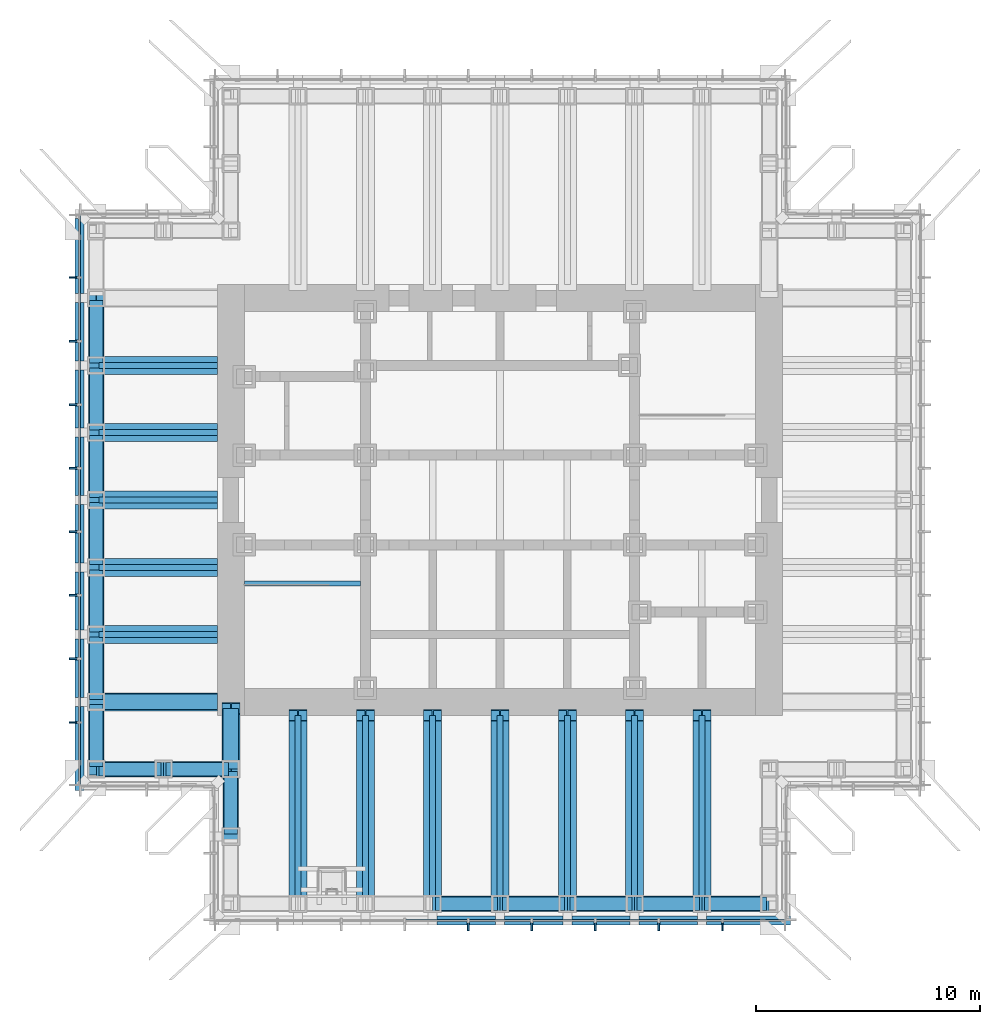
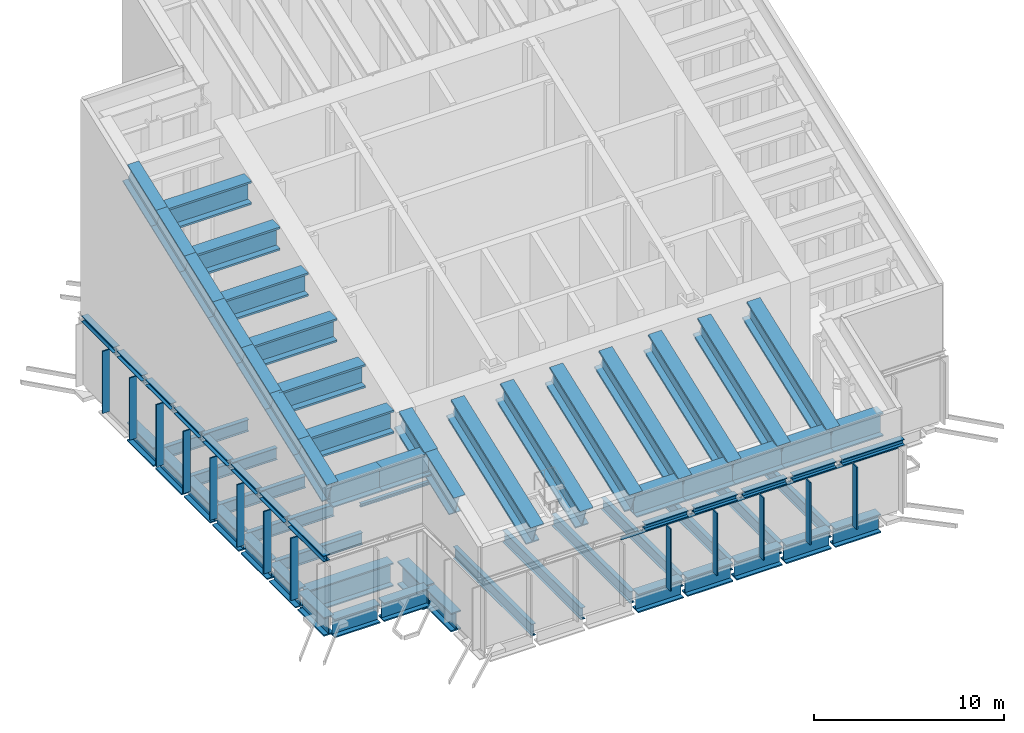
# One storey, part 4 of 15: 72 beams, 28 members, 2 elements without a shape of their own.
"""IFC4 building model written with IfcOpenShell, lengths in metres."""

import ifcopenshell
import ifcopenshell.guid

model = None  # the IFC model being written
_history = None  # IfcOwnerHistory: only IFC2X3 demands one
_inside = {}  # id of a spatial element -> (the spatial element, [elements in it])
_under = {}  # id of a project, library or spatial element -> (it, [spatial elements below it])
_declared = {}  # id of a project -> (the project, [libraries it declares])
_typed = {}  # id of a type object -> (the type object, [elements of that type])
_made_of = {}  # id of a material, layer set ... -> (it, [elements and type objects made of it])


def new_model(schema):
    """Start an empty IFC model of exactly this schema.

    Asked for "IFC4X3", IfcOpenShell would pick the latest addendum, in which some entities
    have other attributes; the version numbers below select the first issue.
    IFC2X3 requires an IfcOwnerHistory on every rooted entity: one is made here for all.
    """
    global model, _history
    if schema == "IFC4X3":
        model = ifcopenshell.file(schema_version=(4, 3, 0, 0))
    else:
        model = ifcopenshell.file(schema=schema)
    _inside.clear()
    _under.clear()
    _declared.clear()
    _typed.clear()
    _made_of.clear()
    _history = None
    if model.schema == "IFC2X3":
        org = make("IfcOrganization", Name="unknown")
        user = make(
            "IfcPersonAndOrganization",
            ThePerson=make("IfcPerson", FamilyName="unknown"),
            TheOrganization=org,
        )
        app = make(
            "IfcApplication",
            ApplicationDeveloper=org,
            Version="unknown",
            ApplicationFullName="unknown",
            ApplicationIdentifier="unknown",
        )
        _history = make(
            "IfcOwnerHistory",
            OwningUser=user,
            OwningApplication=app,
            ChangeAction="ADDED",
            CreationDate=0,
        )
    return model


def make(cls, **values):
    """One entity of the class cls with the attributes given. An attribute that is None is left unset."""
    return model.create_entity(
        cls, **{name: value for name, value in values.items() if value is not None}
    )


def rooted(cls, **values):
    """An entity with a GlobalId (a new one), such as an element, a storey or a relation."""
    return make(cls, GlobalId=ifcopenshell.guid.new(), OwnerHistory=_history, **values)


def si_unit(unit_type, name, prefix=None):
    """IfcSIUnit, for example si_unit("LENGTHUNIT", "METRE", prefix="MILLI")."""
    return make("IfcSIUnit", UnitType=unit_type, Prefix=prefix, Name=name)


def assignment(units):
    """IfcUnitAssignment: the units of a project."""
    return None if units is None else make("IfcUnitAssignment", Units=units)


def point(xyz):
    """IfcCartesianPoint."""
    return None if xyz is None else make("IfcCartesianPoint", Coordinates=xyz)


def direction(xyz):
    """IfcDirection."""
    return None if xyz is None else make("IfcDirection", DirectionRatios=xyz)


def frame(location, z_axis=None, x_axis=None):
    """IfcAxis2Placement3D, a coordinate frame: its origin and axes. An axis left out is left unset."""
    return make(
        "IfcAxis2Placement3D",
        Location=point(location),
        Axis=direction(z_axis),
        RefDirection=direction(x_axis),
    )


def frame_2d(location, x_axis=None):
    """IfcAxis2Placement2D, a coordinate frame in the plane: its origin and x axis."""
    return make(
        "IfcAxis2Placement2D", Location=point(location), RefDirection=direction(x_axis)
    )


def origin():
    """The frame at (0, 0, 0) with its axes left unset."""
    return frame((0.0, 0.0, 0.0))


def origin_2d():
    """The frame at (0, 0) in the plane with its x axis left unset."""
    return frame_2d((0.0, 0.0))


def place(relative_to, where):
    """IfcLocalPlacement: puts the frame where relative to a parent placement (None: the world)."""
    return make(
        "IfcLocalPlacement", PlacementRelTo=relative_to, RelativePlacement=where
    )


def context(
    kind, dimensions, precision=None, world=None, true_north=None, identifier=None
):
    """IfcGeometricRepresentationContext, for example the 3D "Model" context."""
    return make(
        "IfcGeometricRepresentationContext",
        ContextIdentifier=identifier,
        ContextType=kind,
        CoordinateSpaceDimension=dimensions,
        Precision=precision,
        WorldCoordinateSystem=world,
        TrueNorth=true_north,
    )


def subcontext(parent, identifier, kind, view, scale=None):
    """IfcGeometricRepresentationSubContext, for example "Body" below "Model"."""
    return make(
        "IfcGeometricRepresentationSubContext",
        ContextIdentifier=identifier,
        ContextType=kind,
        ParentContext=parent,
        TargetScale=scale,
        TargetView=view,
    )


def project(units=None, contexts=None):
    """IfcProject with its units and contexts."""
    return rooted(
        "IfcProject",
        Name="project",
        RepresentationContexts=contexts,
        UnitsInContext=assignment(units),
    )


def spatial(cls, under=None, at=None, **own):
    """A site, building, storey or space (cls), placed at a placement, below another one or the project."""
    s = rooted(cls, ObjectPlacement=at, **own)
    if under is not None:
        _under.setdefault(under.id(), (under, []))[1].append(s)
    return s


def profile(cls, at=None, kind="AREA", **sizes):
    """A parametric profile (cls). Its sizes go by their IFC names, for example OverallWidth=200.0."""
    return make(cls, ProfileType=kind, Position=at, **sizes)


def rectangle(**sizes):
    """IfcRectangleProfileDef."""
    return profile("IfcRectangleProfileDef", **sizes)


def i_section(**sizes):
    """IfcIShapeProfileDef."""
    return profile("IfcIShapeProfileDef", **sizes)


def extrude(swept, where, along, depth):
    """IfcExtrudedAreaSolid: the profile swept, set in the frame where, extruded along a direction by depth."""
    return make(
        "IfcExtrudedAreaSolid",
        SweptArea=swept,
        Position=where,
        ExtrudedDirection=direction(along),
        Depth=depth,
    )


def shape(context_of_items, identifier, shape_type, items):
    """IfcShapeRepresentation: the items that make up one representation, for example the "Body"."""
    return make(
        "IfcShapeRepresentation",
        ContextOfItems=context_of_items,
        RepresentationIdentifier=identifier,
        RepresentationType=shape_type,
        Items=items,
    )


def material(Name=None, Category=None):
    """IfcMaterial."""
    return make("IfcMaterial", Name=Name, Category=Category)


def material_profile(
    of_material, cross_section, Name=None, Category=None, Priority=None
):
    """IfcMaterialProfile: a cross section and its material."""
    return make(
        "IfcMaterialProfile",
        Name=Name,
        Material=of_material,
        Profile=cross_section,
        Priority=Priority,
        Category=Category,
    )


def profile_set(profiles, Name=None, composite=None):
    """IfcMaterialProfileSet."""
    return make(
        "IfcMaterialProfileSet",
        Name=Name,
        MaterialProfiles=profiles,
        CompositeProfile=composite,
    )


def made_of(thing, what):
    """Note that an element or type object is made of a material, layer set ...; save() writes the relation."""
    if what is not None:
        _made_of.setdefault(what.id(), (what, []))[1].append(thing)
    return thing


def type_object(cls, material=None, **own):
    """A type object (cls), such as IfcWallType, which elements share."""
    return made_of(rooted(cls, **own), material)


def element(
    cls,
    number,
    at=None,
    inside=None,
    cuts=None,
    type_object=None,
    material=None,
    context=None,
    identifier="Body",
    shape_type=None,
    held_by="IfcProductDefinitionShape",
    body=None,
    shapes=None,
    **own,
):
    """One element of the class cls, such as IfcWall. Its Tag is "e" and its number.

    at: its placement. inside: the storey or other place that contains it. cuts: it is an
    opening in that element (IfcRelVoidsElement). A single representation is given by context,
    identifier, shape_type and body (its items); several are given by shapes. held_by: the class
    of the entity that holds the representations. save() writes the other relations.
    """
    e = rooted(cls, Tag="e%d" % number, ObjectPlacement=at, **own)
    if body is not None:
        shapes = [shape(context, identifier, shape_type, body)]
    if shapes is not None:
        e.Representation = make(held_by, Representations=shapes)
    if inside is not None:
        _inside.setdefault(inside.id(), (inside, []))[1].append(e)
    if cuts is not None:
        rooted(
            "IfcRelVoidsElement", RelatingBuildingElement=cuts, RelatedOpeningElement=e
        )
    if type_object is not None:
        _typed.setdefault(type_object.id(), (type_object, []))[1].append(e)
    return made_of(e, material)


def aggregate(whole, parts):
    """IfcRelAggregates: a whole, such as a stair, and the parts it consists of."""
    return rooted("IfcRelAggregates", RelatingObject=whole, RelatedObjects=parts)


def save(model, path):
    """Write the relations noted so far, then the file.

    IfcRelAggregates (storeys below a building ...), IfcRelContainedInSpatialStructure (elements
    in a storey), IfcRelDefinesByType, IfcRelAssociatesMaterial and IfcRelDeclares: one each for
    every whole, place, type object, material and project.
    """
    for whole, parts in _under.values():
        aggregate(whole, parts)
    for where, things in _inside.values():
        rooted(
            "IfcRelContainedInSpatialStructure",
            RelatedElements=things,
            RelatingStructure=where,
        )
    for kind, things in _typed.values():
        rooted("IfcRelDefinesByType", RelatedObjects=things, RelatingType=kind)
    for what, things in _made_of.values():
        rooted("IfcRelAssociatesMaterial", RelatedObjects=things, RelatingMaterial=what)
    for by, libraries in _declared.values():
        rooted("IfcRelDeclares", RelatingContext=by, RelatedDefinitions=libraries)
    model.write(path)


model = new_model("IFC4")

# Units and contexts
model_context = context("Model", 3, precision=1e-05, world=origin(), true_north=direction((0.0, 1.0)))
body_context = subcontext(model_context, "Body", "Model", "MODEL_VIEW")
ifc_project = project(units=[si_unit("LENGTHUNIT", "METRE"), si_unit("AREAUNIT", "SQUARE_METRE"), si_unit("VOLUMEUNIT", "CUBIC_METRE"), si_unit("PLANEANGLEUNIT", "RADIAN"), si_unit("MASSUNIT", "GRAM", prefix="KILO")], contexts=[model_context])

# Site, building, storey
site_placement = place(None, origin())
site = spatial("IfcSite", under=ifc_project, at=site_placement, CompositionType="ELEMENT")
building_placement = place(site_placement, origin())
building = spatial("IfcBuilding", under=site, at=building_placement, Name="Daluyong Arena Tower", CompositionType="ELEMENT")
storey_placement = place(building_placement, frame((0.0, 0.0, 285.699951171875)))
storey = spatial("IfcBuildingStorey", under=building, at=storey_placement, Name="L64", CompositionType="ELEMENT", Elevation=285.699951171875)

# Curtain wall, members
ifc_material_1 = material(Name="Bronze anodised aluminium and glass", Category="aluminium")
curtain_wall_type = type_object("IfcCurtainWallType", Name="Curtain wall CW6", PredefinedType="USERDEFINED", material=ifc_material_1)
curtain_wall_1_placement = place(storey_placement, origin())
curtain_wall_1 = element("IfcCurtainWall", 1, at=curtain_wall_1_placement, inside=storey, type_object=curtain_wall_type, Name="crown louvre curtain wall L64 S", ObjectType="UNITISED CURTAIN WALL", PredefinedType="USERDEFINED")
ifc_material_2 = material(Name="Bronze anodised aluminium fin", Category="aluminium")
ifc_material_profile_1 = material_profile(ifc_material_2, rectangle(XDim=0.449951171875, YDim=0.080078125, at=origin_2d()))
ifc_profile_set_1 = profile_set([ifc_material_profile_1], Name="Bronze anodised aluminium fin")
member_type_1 = type_object("IfcMemberType", Name="CW6 bronze fin 450x80", PredefinedType="MULLION", material=ifc_profile_set_1)
member_1_placement = place(storey_placement, frame((54.583251953125, 61.02490234375, 0.0), z_axis=(0.0, 0.0, 1.0), x_axis=(0.0, 1.0, 0.0)))
member_1 = element("IfcMember", 2, at=member_1_placement, type_object=member_type_1, Name="crown louvre curtain wall L64 S fin 5", PredefinedType="MULLION", context=body_context, shape_type="SweptSolid", body=[
    extrude(rectangle(XDim=0.449951171875, YDim=0.080078125, at=origin_2d()), origin(), (0.0, 0.0, 1.0), 4.0),
])
member_2_placement = place(storey_placement, frame((57.416748046875, 61.02490234375, 0.0), z_axis=(0.0, 0.0, 1.0), x_axis=(0.0, 1.0, 0.0)))
member_2 = element("IfcMember", 3, at=member_2_placement, type_object=member_type_1, Name="crown louvre curtain wall L64 S fin 6", PredefinedType="MULLION", context=body_context, shape_type="SweptSolid", body=[
    extrude(rectangle(XDim=0.449951171875, YDim=0.080078125, at=origin_2d()), origin(), (0.0, 0.0, 1.0), 4.0),
])
member_3_placement = place(storey_placement, frame((60.25, 61.02490234375, 0.0), z_axis=(0.0, 0.0, 1.0), x_axis=(0.0, 1.0, 0.0)))
member_3 = element("IfcMember", 4, at=member_3_placement, type_object=member_type_1, Name="crown louvre curtain wall L64 S fin 7", PredefinedType="MULLION", context=body_context, shape_type="SweptSolid", body=[
    extrude(rectangle(XDim=0.449951171875, YDim=0.080078125, at=origin_2d()), origin(), (0.0, 0.0, 1.0), 4.0),
])
member_4_placement = place(storey_placement, frame((63.083251953125, 61.02490234375, 0.0), z_axis=(0.0, 0.0, 1.0), x_axis=(0.0, 1.0, 0.0)))
member_4 = element("IfcMember", 5, at=member_4_placement, type_object=member_type_1, Name="crown louvre curtain wall L64 S fin 8", PredefinedType="MULLION", context=body_context, shape_type="SweptSolid", body=[
    extrude(rectangle(XDim=0.449951171875, YDim=0.080078125, at=origin_2d()), origin(), (0.0, 0.0, 1.0), 4.0),
])
member_5_placement = place(storey_placement, frame((65.916748046875, 61.02490234375, 0.0), z_axis=(0.0, 0.0, 1.0), x_axis=(0.0, 1.0, 0.0)))
member_5 = element("IfcMember", 6, at=member_5_placement, type_object=member_type_1, Name="crown louvre curtain wall L64 S fin 9", PredefinedType="MULLION", context=body_context, shape_type="SweptSolid", body=[
    extrude(rectangle(XDim=0.449951171875, YDim=0.080078125, at=origin_2d()), origin(), (0.0, 0.0, 1.0), 4.0),
])

curtain_wall_2_placement = place(storey_placement, origin())
curtain_wall_2 = element("IfcCurtainWall", 7, at=curtain_wall_2_placement, inside=storey, type_object=curtain_wall_type, Name="crown louvre curtain wall L64 W", ObjectType="UNITISED CURTAIN WALL", PredefinedType="USERDEFINED")
member_6_placement = place(storey_placement, frame((37.02490234375, 89.916748046875, 0.0), z_axis=(0.0, 0.0, 1.0), x_axis=(1.0, 0.0, 0.0)))
member_6 = element("IfcMember", 8, at=member_6_placement, type_object=member_type_1, Name="crown louvre curtain wall L64 W fin 2", PredefinedType="MULLION", context=body_context, shape_type="SweptSolid", body=[
    extrude(rectangle(XDim=0.449951171875, YDim=0.080078125, at=origin_2d()), origin(), (0.0, 0.0, 1.0), 4.0),
])
member_7_placement = place(storey_placement, frame((37.02490234375, 87.083251953125, 0.0), z_axis=(0.0, 0.0, 1.0), x_axis=(1.0, 0.0, 0.0)))
member_7 = element("IfcMember", 9, at=member_7_placement, type_object=member_type_1, Name="crown louvre curtain wall L64 W fin 3", PredefinedType="MULLION", context=body_context, shape_type="SweptSolid", body=[
    extrude(rectangle(XDim=0.449951171875, YDim=0.080078125, at=origin_2d()), origin(), (0.0, 0.0, 1.0), 4.0),
])
member_8_placement = place(storey_placement, frame((37.02490234375, 84.25, 0.0), z_axis=(0.0, 0.0, 1.0), x_axis=(1.0, 0.0, 0.0)))
member_8 = element("IfcMember", 10, at=member_8_placement, type_object=member_type_1, Name="crown louvre curtain wall L64 W fin 4", PredefinedType="MULLION", context=body_context, shape_type="SweptSolid", body=[
    extrude(rectangle(XDim=0.449951171875, YDim=0.080078125, at=origin_2d()), origin(), (0.0, 0.0, 1.0), 4.0),
])
member_9_placement = place(storey_placement, frame((37.02490234375, 81.416748046875, 0.0), z_axis=(0.0, 0.0, 1.0), x_axis=(1.0, 0.0, 0.0)))
member_9 = element("IfcMember", 11, at=member_9_placement, type_object=member_type_1, Name="crown louvre curtain wall L64 W fin 5", PredefinedType="MULLION", context=body_context, shape_type="SweptSolid", body=[
    extrude(rectangle(XDim=0.449951171875, YDim=0.080078125, at=origin_2d()), origin(), (0.0, 0.0, 1.0), 4.0),
])
member_10_placement = place(storey_placement, frame((37.02490234375, 78.583251953125, 0.0), z_axis=(0.0, 0.0, 1.0), x_axis=(1.0, 0.0, 0.0)))
member_10 = element("IfcMember", 12, at=member_10_placement, type_object=member_type_1, Name="crown louvre curtain wall L64 W fin 6", PredefinedType="MULLION", context=body_context, shape_type="SweptSolid", body=[
    extrude(rectangle(XDim=0.449951171875, YDim=0.080078125, at=origin_2d()), origin(), (0.0, 0.0, 1.0), 4.0),
])
member_11_placement = place(storey_placement, frame((37.02490234375, 75.75, 0.0), z_axis=(0.0, 0.0, 1.0), x_axis=(1.0, 0.0, 0.0)))
member_11 = element("IfcMember", 13, at=member_11_placement, type_object=member_type_1, Name="crown louvre curtain wall L64 W fin 7", PredefinedType="MULLION", context=body_context, shape_type="SweptSolid", body=[
    extrude(rectangle(XDim=0.449951171875, YDim=0.080078125, at=origin_2d()), origin(), (0.0, 0.0, 1.0), 4.0),
])
member_12_placement = place(storey_placement, frame((37.02490234375, 72.916748046875, 0.0), z_axis=(0.0, 0.0, 1.0), x_axis=(1.0, 0.0, 0.0)))
member_12 = element("IfcMember", 14, at=member_12_placement, type_object=member_type_1, Name="crown louvre curtain wall L64 W fin 8", PredefinedType="MULLION", context=body_context, shape_type="SweptSolid", body=[
    extrude(rectangle(XDim=0.449951171875, YDim=0.080078125, at=origin_2d()), origin(), (0.0, 0.0, 1.0), 4.0),
])
member_13_placement = place(storey_placement, frame((37.02490234375, 70.083251953125, 0.0), z_axis=(0.0, 0.0, 1.0), x_axis=(1.0, 0.0, 0.0)))
member_13 = element("IfcMember", 15, at=member_13_placement, type_object=member_type_1, Name="crown louvre curtain wall L64 W fin 9", PredefinedType="MULLION", context=body_context, shape_type="SweptSolid", body=[
    extrude(rectangle(XDim=0.449951171875, YDim=0.080078125, at=origin_2d()), origin(), (0.0, 0.0, 1.0), 4.0),
])

# Member
ifc_material_3 = material(Name="Bronze anodised aluminium", Category="aluminium")
ifc_material_profile_2 = material_profile(ifc_material_3, rectangle(XDim=0.080078125, YDim=0.199951171875, at=origin_2d()))
ifc_profile_set_2 = profile_set([ifc_material_profile_2], Name="Bronze anodised aluminium")
member_type_2 = type_object("IfcMemberType", Name="CW6 stack transom 200x80", PredefinedType="USERDEFINED", material=ifc_profile_set_2)
member_14_placement = place(storey_placement, frame((51.7900390625, 61.25, 4.10009765625), z_axis=(1.0, 0.0, 0.0), x_axis=(0.0, 1.0, 0.0)))
member_14 = element("IfcMember", 16, at=member_14_placement, type_object=member_type_2, Name="crown louvre curtain wall L64 S transom 4", ObjectType="TRANSOM", PredefinedType="USERDEFINED", context=body_context, shape_type="SweptSolid", body=[
    extrude(rectangle(XDim=0.080078125, YDim=0.199951171875, at=origin_2d()), origin(), (0.0, 0.0, 1.0), 2.753173828125),
])

member_15_placement = place(storey_placement, frame((54.623291015625, 61.25, 4.10009765625), z_axis=(1.0, 0.0, 0.0), x_axis=(0.0, 1.0, 0.0)))
member_15 = element("IfcMember", 17, at=member_15_placement, type_object=member_type_2, Name="crown louvre curtain wall L64 S transom 5", ObjectType="TRANSOM", PredefinedType="USERDEFINED", context=body_context, shape_type="SweptSolid", body=[
    extrude(rectangle(XDim=0.080078125, YDim=0.199951171875, at=origin_2d()), origin(), (0.0, 0.0, 1.0), 2.75341796875),
])

member_16_placement = place(storey_placement, frame((57.456787109375, 61.25, 4.10009765625), z_axis=(1.0, 0.0, 0.0), x_axis=(0.0, 1.0, 0.0)))
member_16 = element("IfcMember", 18, at=member_16_placement, type_object=member_type_2, Name="crown louvre curtain wall L64 S transom 6", ObjectType="TRANSOM", PredefinedType="USERDEFINED", context=body_context, shape_type="SweptSolid", body=[
    extrude(rectangle(XDim=0.080078125, YDim=0.199951171875, at=origin_2d()), origin(), (0.0, 0.0, 1.0), 2.753173828125),
])

member_17_placement = place(storey_placement, frame((60.2900390625, 61.25, 4.10009765625), z_axis=(1.0, 0.0, 0.0), x_axis=(0.0, 1.0, 0.0)))
member_17 = element("IfcMember", 19, at=member_17_placement, type_object=member_type_2, Name="crown louvre curtain wall L64 S transom 7", ObjectType="TRANSOM", PredefinedType="USERDEFINED", context=body_context, shape_type="SweptSolid", body=[
    extrude(rectangle(XDim=0.080078125, YDim=0.199951171875, at=origin_2d()), origin(), (0.0, 0.0, 1.0), 2.753173828125),
])

member_18_placement = place(storey_placement, frame((63.123291015625, 61.25, 4.10009765625), z_axis=(1.0, 0.0, 0.0), x_axis=(0.0, 1.0, 0.0)))
member_18 = element("IfcMember", 20, at=member_18_placement, type_object=member_type_2, Name="crown louvre curtain wall L64 S transom 8", ObjectType="TRANSOM", PredefinedType="USERDEFINED", context=body_context, shape_type="SweptSolid", body=[
    extrude(rectangle(XDim=0.080078125, YDim=0.199951171875, at=origin_2d()), origin(), (0.0, 0.0, 1.0), 2.75341796875),
])

member_19_placement = place(storey_placement, frame((65.956787109375, 61.25, 4.10009765625), z_axis=(1.0, 0.0, 0.0), x_axis=(0.0, 1.0, 0.0)))
member_19 = element("IfcMember", 21, at=member_19_placement, type_object=member_type_2, Name="crown louvre curtain wall L64 S transom 9", ObjectType="TRANSOM", PredefinedType="USERDEFINED", context=body_context, shape_type="SweptSolid", body=[
    extrude(rectangle(XDim=0.080078125, YDim=0.199951171875, at=origin_2d()), origin(), (0.0, 0.0, 1.0), 2.713134765625),
])

aggregate(curtain_wall_1, [member_1, member_2, member_3, member_4, member_5, member_14, member_15, member_16, member_17, member_18, member_19])

member_20_placement = place(storey_placement, frame((37.25, 92.669921875, 4.10009765625), z_axis=(0.0, -1.0, 0.0), x_axis=(1.0, 0.0, 0.0)))
member_20 = element("IfcMember", 22, at=member_20_placement, type_object=member_type_2, Name="crown louvre curtain wall L64 W transom 1", ObjectType="TRANSOM", PredefinedType="USERDEFINED", context=body_context, shape_type="SweptSolid", body=[
    extrude(rectangle(XDim=0.080078125, YDim=0.199951171875, at=origin_2d()), origin(), (0.0, 0.0, 1.0), 2.713134765625),
])

member_21_placement = place(storey_placement, frame((37.25, 89.876708984375, 4.10009765625), z_axis=(0.0, -1.0, 0.0), x_axis=(1.0, 0.0, 0.0)))
member_21 = element("IfcMember", 23, at=member_21_placement, type_object=member_type_2, Name="crown louvre curtain wall L64 W transom 2", ObjectType="TRANSOM", PredefinedType="USERDEFINED", context=body_context, shape_type="SweptSolid", body=[
    extrude(rectangle(XDim=0.080078125, YDim=0.199951171875, at=origin_2d()), origin(), (0.0, 0.0, 1.0), 2.75341796875),
])

member_22_placement = place(storey_placement, frame((37.25, 87.043212890625, 4.10009765625), z_axis=(0.0, -1.0, 0.0), x_axis=(1.0, 0.0, 0.0)))
member_22 = element("IfcMember", 24, at=member_22_placement, type_object=member_type_2, Name="crown louvre curtain wall L64 W transom 3", ObjectType="TRANSOM", PredefinedType="USERDEFINED", context=body_context, shape_type="SweptSolid", body=[
    extrude(rectangle(XDim=0.080078125, YDim=0.199951171875, at=origin_2d()), origin(), (0.0, 0.0, 1.0), 2.753173828125),
])

member_23_placement = place(storey_placement, frame((37.25, 84.2099609375, 4.10009765625), z_axis=(0.0, -1.0, 0.0), x_axis=(1.0, 0.0, 0.0)))
member_23 = element("IfcMember", 25, at=member_23_placement, type_object=member_type_2, Name="crown louvre curtain wall L64 W transom 4", ObjectType="TRANSOM", PredefinedType="USERDEFINED", context=body_context, shape_type="SweptSolid", body=[
    extrude(rectangle(XDim=0.080078125, YDim=0.199951171875, at=origin_2d()), origin(), (0.0, 0.0, 1.0), 2.753173828125),
])

member_24_placement = place(storey_placement, frame((37.25, 81.376708984375, 4.10009765625), z_axis=(0.0, -1.0, 0.0), x_axis=(1.0, 0.0, 0.0)))
member_24 = element("IfcMember", 26, at=member_24_placement, type_object=member_type_2, Name="crown louvre curtain wall L64 W transom 5", ObjectType="TRANSOM", PredefinedType="USERDEFINED", context=body_context, shape_type="SweptSolid", body=[
    extrude(rectangle(XDim=0.080078125, YDim=0.199951171875, at=origin_2d()), origin(), (0.0, 0.0, 1.0), 2.75341796875),
])

member_25_placement = place(storey_placement, frame((37.25, 78.543212890625, 4.10009765625), z_axis=(0.0, -1.0, 0.0), x_axis=(1.0, 0.0, 0.0)))
member_25 = element("IfcMember", 27, at=member_25_placement, type_object=member_type_2, Name="crown louvre curtain wall L64 W transom 6", ObjectType="TRANSOM", PredefinedType="USERDEFINED", context=body_context, shape_type="SweptSolid", body=[
    extrude(rectangle(XDim=0.080078125, YDim=0.199951171875, at=origin_2d()), origin(), (0.0, 0.0, 1.0), 2.753173828125),
])

member_26_placement = place(storey_placement, frame((37.25, 75.7099609375, 4.10009765625), z_axis=(0.0, -1.0, 0.0), x_axis=(1.0, 0.0, 0.0)))
member_26 = element("IfcMember", 28, at=member_26_placement, type_object=member_type_2, Name="crown louvre curtain wall L64 W transom 7", ObjectType="TRANSOM", PredefinedType="USERDEFINED", context=body_context, shape_type="SweptSolid", body=[
    extrude(rectangle(XDim=0.080078125, YDim=0.199951171875, at=origin_2d()), origin(), (0.0, 0.0, 1.0), 2.753173828125),
])

member_27_placement = place(storey_placement, frame((37.25, 72.876708984375, 4.10009765625), z_axis=(0.0, -1.0, 0.0), x_axis=(1.0, 0.0, 0.0)))
member_27 = element("IfcMember", 29, at=member_27_placement, type_object=member_type_2, Name="crown louvre curtain wall L64 W transom 8", ObjectType="TRANSOM", PredefinedType="USERDEFINED", context=body_context, shape_type="SweptSolid", body=[
    extrude(rectangle(XDim=0.080078125, YDim=0.199951171875, at=origin_2d()), origin(), (0.0, 0.0, 1.0), 2.75341796875),
])

member_28_placement = place(storey_placement, frame((37.25, 70.043212890625, 4.10009765625), z_axis=(0.0, -1.0, 0.0), x_axis=(1.0, 0.0, 0.0)))
member_28 = element("IfcMember", 30, at=member_28_placement, type_object=member_type_2, Name="crown louvre curtain wall L64 W transom 9", ObjectType="TRANSOM", PredefinedType="USERDEFINED", context=body_context, shape_type="SweptSolid", body=[
    extrude(rectangle(XDim=0.080078125, YDim=0.199951171875, at=origin_2d()), origin(), (0.0, 0.0, 1.0), 2.713134765625),
])

aggregate(curtain_wall_2, [member_6, member_7, member_8, member_9, member_10, member_11, member_12, member_13, member_20, member_21, member_22, member_23, member_24, member_25, member_26, member_27, member_28])

# Beams
ifc_material_4 = material(Name="Steel ASTM A572 Grade 50", Category="steel")
ifc_material_profile_3 = material_profile(ifc_material_4, i_section(OverallWidth=0.699951171875, OverallDepth=1.5, WebThickness=0.04, FlangeThickness=0.08, at=origin_2d()))
ifc_profile_set_3 = profile_set([ifc_material_profile_3], Name="Steel ASTM A572 Grade 50")
beam_type_1 = type_object("IfcBeamType", Name="Core girder PG1500X700", PredefinedType="BEAM", material=ifc_profile_set_3)
beam_1_placement = place(storey_placement, frame((44.0, 68.0, -1.0), z_axis=(0.0, 1.0, 0.0), x_axis=(-1.0, 0.0, 0.0)))
element("IfcBeam", 31, at=beam_1_placement, inside=storey, type_object=beam_type_1, Name="core girder CG1", PredefinedType="BEAM", context=body_context, shape_type="SweptSolid", body=[
    extrude(i_section(OverallWidth=0.699951171875, OverallDepth=1.5, WebThickness=0.04, FlangeThickness=0.08, at=origin_2d()), origin(), (0.0, 0.0, 1.0), 2.699951171875),
])
beam_2_placement = place(storey_placement, frame((38.114990234375, 71.0, -1.0), z_axis=(1.0, 0.0, 0.0), x_axis=(0.0, 1.0, 0.0)))
element("IfcBeam", 32, at=beam_2_placement, inside=storey, type_object=beam_type_1, Name="core girder CG1", PredefinedType="BEAM", context=body_context, shape_type="SweptSolid", body=[
    extrude(i_section(OverallWidth=0.699951171875, OverallDepth=1.5, WebThickness=0.04, FlangeThickness=0.08, at=origin_2d()), origin(), (0.0, 0.0, 1.0), 5.284912109375),
])
ifc_material_5 = material(Name="Steel ASTM A992 Grade 50", Category="steel")
ifc_material_profile_4 = material_profile(ifc_material_5, i_section(OverallWidth=0.398681640625, OverallDepth=0.385986328125, WebThickness=0.02099609375, FlangeThickness=0.033203125, at=origin_2d()))
ifc_profile_set_4 = profile_set([ifc_material_profile_4], Name="Steel ASTM A992 Grade 50")
beam_type_2 = type_object("IfcBeamType", Name="Crown louvre support beam W14X176", PredefinedType="BEAM", material=ifc_profile_set_4)
for number, where, z_axis, x_axis, name in (
    (33, (53.199462890625, 61.25, 4.39306640625), (1.0, 0.0, 0.0), (0.0, 1.0, 0.0), "crown louvre support beam LS1"),
    (34, (56.199462890625, 61.25, 4.39306640625), (1.0, 0.0, 0.0), (0.0, 1.0, 0.0), "crown louvre support beam LS1"),
    (35, (59.199462890625, 61.25, 4.39306640625), (1.0, 0.0, 0.0), (0.0, 1.0, 0.0), "crown louvre support beam LS1"),
    (36, (62.199462890625, 61.25, 4.39306640625), (1.0, 0.0, 0.0), (0.0, 1.0, 0.0), "crown louvre support beam LS1"),
):
    element("IfcBeam", number, at=place(storey_placement, frame(where, z_axis=z_axis, x_axis=x_axis)), inside=storey, type_object=beam_type_2, Name=name, PredefinedType="BEAM", context=body_context, shape_type="SweptSolid", body=[
        extrude(i_section(OverallWidth=0.398681640625, OverallDepth=0.385986328125, WebThickness=0.02099609375, FlangeThickness=0.033203125, at=origin_2d()), origin(), (0.0, 0.0, 1.0), 2.60107421875),
    ])
beam_3_placement = place(storey_placement, frame((65.199462890625, 61.25, 4.39306640625), z_axis=(1.0, 0.0, 0.0), x_axis=(0.0, 1.0, 0.0)))
element("IfcBeam", 37, at=beam_3_placement, inside=storey, type_object=beam_type_2, Name="crown louvre support beam LS1", PredefinedType="BEAM", context=body_context, shape_type="SweptSolid", body=[
    extrude(i_section(OverallWidth=0.398681640625, OverallDepth=0.385986328125, WebThickness=0.02099609375, FlangeThickness=0.033203125, at=origin_2d()), origin(), (0.0, 0.0, 1.0), 3.75),
])
beam_4_placement = place(storey_placement, frame((37.25, 92.550537109375, 4.39306640625), z_axis=(0.0, -1.0, 0.0), x_axis=(1.0, 0.0, 0.0)))
element("IfcBeam", 38, at=beam_4_placement, inside=storey, type_object=beam_type_2, Name="crown louvre support beam LS1", PredefinedType="BEAM", context=body_context, shape_type="SweptSolid", body=[
    extrude(i_section(OverallWidth=0.398681640625, OverallDepth=0.385986328125, WebThickness=0.02099609375, FlangeThickness=0.033203125, at=origin_2d()), origin(), (0.0, 0.0, 1.0), 3.35107421875),
])
for number, where, z_axis, x_axis, name in (
    (39, (37.25, 88.800537109375, 4.39306640625), (0.0, -1.0, 0.0), (1.0, 0.0, 0.0), "crown louvre support beam LS1"),
    (40, (37.25, 85.800537109375, 4.39306640625), (0.0, -1.0, 0.0), (1.0, 0.0, 0.0), "crown louvre support beam LS1"),
    (41, (37.25, 82.800537109375, 4.39306640625), (0.0, -1.0, 0.0), (1.0, 0.0, 0.0), "crown louvre support beam LS1"),
    (42, (37.25, 79.800537109375, 4.39306640625), (0.0, -1.0, 0.0), (1.0, 0.0, 0.0), "crown louvre support beam LS1"),
    (43, (37.25, 76.800537109375, 4.39306640625), (0.0, -1.0, 0.0), (1.0, 0.0, 0.0), "crown louvre support beam LS1"),
    (44, (37.25, 73.800537109375, 4.39306640625), (0.0, -1.0, 0.0), (1.0, 0.0, 0.0), "crown louvre support beam LS1"),
):
    element("IfcBeam", number, at=place(storey_placement, frame(where, z_axis=z_axis, x_axis=x_axis)), inside=storey, type_object=beam_type_2, Name=name, PredefinedType="BEAM", context=body_context, shape_type="SweptSolid", body=[
        extrude(i_section(OverallWidth=0.398681640625, OverallDepth=0.385986328125, WebThickness=0.02099609375, FlangeThickness=0.033203125, at=origin_2d()), origin(), (0.0, 0.0, 1.0), 2.60107421875),
    ])
beam_5_placement = place(storey_placement, frame((37.25, 70.800537109375, 4.39306640625), z_axis=(0.0, -1.0, 0.0), x_axis=(1.0, 0.0, 0.0)))
element("IfcBeam", 45, at=beam_5_placement, inside=storey, type_object=beam_type_2, Name="crown louvre support beam LS1", PredefinedType="BEAM", context=body_context, shape_type="SweptSolid", body=[
    extrude(i_section(OverallWidth=0.398681640625, OverallDepth=0.385986328125, WebThickness=0.02099609375, FlangeThickness=0.033203125, at=origin_2d()), origin(), (0.0, 0.0, 1.0), 3.75),
])
ifc_material_6 = material(Name="Steel ASTM A588 Grade 50", Category="steel")
ifc_material_profile_5 = material_profile(ifc_material_6, i_section(OverallWidth=0.800048828125, OverallDepth=1.5, WebThickness=0.05, FlangeThickness=0.12, at=origin_2d()))
ifc_profile_set_5 = profile_set([ifc_material_profile_5], Name="Steel ASTM A588 Grade 50")
beam_type_3 = type_object("IfcBeamType", Name="Crown rafter PG1500X800", PredefinedType="BEAM", material=ifc_profile_set_5)
beam_6_placement = place(storey_placement, frame((44.0, 68.0, 7.834716796875), z_axis=(0.0, 0.936221282756, 0.35141102674), x_axis=(-1.0, 0.0, 0.0)))
element("IfcBeam", 46, at=beam_6_placement, inside=storey, type_object=beam_type_3, Name="crown rafter RR1", PredefinedType="BEAM", context=body_context, shape_type="SweptSolid", body=[
    extrude(i_section(OverallWidth=0.800048828125, OverallDepth=1.5, WebThickness=0.05, FlangeThickness=0.12, at=origin_2d()), origin(), (0.0, 0.0, 1.0), 2.8837890625),
])
for number, where, z_axis, x_axis, name in (
    (47, (47.0, 62.0, 5.582763671875), (0.0, 0.93622401888, 0.351403737134), (-1.0, 0.0, 0.0), "crown rafter RR1"),
    (48, (50.0, 62.0, 5.582763671875), (0.0, 0.93622401888, 0.351403737134), (-1.0, 0.0, 0.0), "crown rafter RR1"),
    (49, (53.0, 62.0, 5.582763671875), (0.0, 0.93622401888, 0.351403737134), (-1.0, 0.0, 0.0), "crown rafter RR1"),
    (50, (56.0, 62.0, 5.582763671875), (0.0, 0.93622401888, 0.351403737134), (-1.0, 0.0, 0.0), "crown rafter RR1"),
    (51, (59.0, 62.0, 5.582763671875), (0.0, 0.93622401888, 0.351403737134), (-1.0, 0.0, 0.0), "crown rafter RR1"),
    (52, (62.0, 62.0, 5.582763671875), (0.0, 0.93622401888, 0.351403737134), (-1.0, 0.0, 0.0), "crown rafter RR1"),
    (53, (65.0, 62.0, 5.582763671875), (0.0, 0.93622401888, 0.351403737134), (-1.0, 0.0, 0.0), "crown rafter RR1"),
):
    element("IfcBeam", number, at=place(storey_placement, frame(where, z_axis=z_axis, x_axis=x_axis)), inside=storey, type_object=beam_type_3, Name=name, PredefinedType="BEAM", context=body_context, shape_type="SweptSolid", body=[
        extrude(i_section(OverallWidth=0.800048828125, OverallDepth=1.5, WebThickness=0.05, FlangeThickness=0.12, at=origin_2d()), origin(), (0.0, 0.0, 1.0), 8.97216796875),
    ])
for number, where, z_axis, x_axis, name in (
    (54, (38.0, 86.0, 14.49169921875), (1.0, 0.0, 0.0), (0.0, 1.0, 0.0), "crown rafter RR1"),
    (55, (38.0, 83.0, 13.36572265625), (1.0, 0.0, 0.0), (0.0, 1.0, 0.0), "crown rafter RR1"),
    (56, (38.0, 80.0, 12.23974609375), (1.0, 0.0, 0.0), (0.0, 1.0, 0.0), "crown rafter RR1"),
    (57, (38.0, 77.0, 11.11376953125), (1.0, 0.0, 0.0), (0.0, 1.0, 0.0), "crown rafter RR1"),
    (58, (38.0, 74.0, 9.98779296875), (1.0, 0.0, 0.0), (0.0, 1.0, 0.0), "crown rafter RR1"),
    (59, (38.0, 71.0, 8.861572265625), (1.0, 0.0, 0.0), (0.0, 1.0, 0.0), "crown rafter RR1"),
):
    element("IfcBeam", number, at=place(storey_placement, frame(where, z_axis=z_axis, x_axis=x_axis)), inside=storey, type_object=beam_type_3, Name=name, PredefinedType="BEAM", context=body_context, shape_type="SweptSolid", body=[
        extrude(i_section(OverallWidth=0.800048828125, OverallDepth=1.5, WebThickness=0.05, FlangeThickness=0.12, at=origin_2d()), origin(), (0.0, 0.0, 1.0), 5.39990234375),
    ])
ifc_material_7 = material(Name="Steel ASTM A572 Grade 50", Category="steel")
ifc_material_profile_6 = material_profile(ifc_material_7, i_section(OverallWidth=0.699951171875, OverallDepth=1.5, WebThickness=0.04, FlangeThickness=0.08, at=origin_2d()))
ifc_profile_set_6 = profile_set([ifc_material_profile_6], Name="Steel ASTM A572 Grade 50")
beam_type_4 = type_object("IfcBeamType", Name="Crown roof edge beam PG1500X700", PredefinedType="SPANDREL", material=ifc_profile_set_6)
for number, where, z_axis, x_axis, name in (
    (60, (53.0, 62.0, 5.50244140625), (1.0, 0.0, 0.0), (0.0, 1.0, 0.0), "crown roof edge beam RB1"),
    (61, (56.0, 62.0, 5.50244140625), (1.0, 0.0, 0.0), (0.0, 1.0, 0.0), "crown roof edge beam RB1"),
    (62, (59.0, 62.0, 5.50244140625), (1.0, 0.0, 0.0), (0.0, 1.0, 0.0), "crown roof edge beam RB1"),
    (63, (62.0, 62.0, 5.50244140625), (1.0, 0.0, 0.0), (0.0, 1.0, 0.0), "crown roof edge beam RB1"),
    (64, (65.0, 62.0, 5.50244140625), (1.0, 0.0, 0.0), (0.0, 1.0, 0.0), "crown roof edge beam RB1"),
):
    element("IfcBeam", number, at=place(storey_placement, frame(where, z_axis=z_axis, x_axis=x_axis)), inside=storey, type_object=beam_type_4, Name=name, PredefinedType="SPANDREL", context=body_context, shape_type="SweptSolid", body=[
        extrude(i_section(OverallWidth=0.699951171875, OverallDepth=1.5, WebThickness=0.04, FlangeThickness=0.08, at=origin_2d()), origin(), (0.0, 0.0, 1.0), 3.0),
    ])
for number, where, z_axis, x_axis, name in (
    (65, (38.0, 89.0, 15.716796875), (0.0, -0.936228943712, -0.351390615918), (1.0, 0.0, 0.0), "crown roof edge beam RB1"),
    (66, (38.0, 86.0, 14.5908203125), (0.0, -0.936228943712, -0.351390615918), (1.0, 0.0, 0.0), "crown roof edge beam RB1"),
    (67, (38.0, 83.0, 13.46484375), (0.0, -0.936203876692, -0.351457396092), (1.0, 0.0, 0.0), "crown roof edge beam RB1"),
    (68, (38.0, 80.0, 12.338623046875), (0.0, -0.936228943712, -0.351390615918), (1.0, 0.0, 0.0), "crown roof edge beam RB1"),
    (69, (38.0, 77.0, 11.212646484375), (0.0, -0.936228943712, -0.351390615918), (1.0, 0.0, 0.0), "crown roof edge beam RB1"),
    (70, (38.0, 74.0, 10.086669921875), (0.0, -0.936228943712, -0.351390615918), (1.0, 0.0, 0.0), "crown roof edge beam RB1"),
    (71, (38.0, 71.0, 8.960693359375), (0.0, -0.936228943712, -0.351390615918), (1.0, 0.0, 0.0), "crown roof edge beam RB1"),
):
    element("IfcBeam", number, at=place(storey_placement, frame(where, z_axis=z_axis, x_axis=x_axis)), inside=storey, type_object=beam_type_4, Name=name, PredefinedType="SPANDREL", context=body_context, shape_type="SweptSolid", body=[
        extrude(i_section(OverallWidth=0.699951171875, OverallDepth=1.5, WebThickness=0.04, FlangeThickness=0.08, at=origin_2d()), origin(), (0.0, 0.0, 1.0), 3.204345703125),
    ])
for number, where, z_axis, x_axis, name in (
    (72, (38.0, 68.0, 7.75439453125), (1.0, 0.0, 0.0), (0.0, 1.0, 0.0), "crown roof edge beam RB1"),
    (73, (41.0, 68.0, 7.75439453125), (1.0, 0.0, 0.0), (0.0, 1.0, 0.0), "crown roof edge beam RB1"),
):
    element("IfcBeam", number, at=place(storey_placement, frame(where, z_axis=z_axis, x_axis=x_axis)), inside=storey, type_object=beam_type_4, Name=name, PredefinedType="SPANDREL", context=body_context, shape_type="SweptSolid", body=[
        extrude(i_section(OverallWidth=0.699951171875, OverallDepth=1.5, WebThickness=0.04, FlangeThickness=0.08, at=origin_2d()), origin(), (0.0, 0.0, 1.0), 3.0),
    ])
beam_7_placement = place(storey_placement, frame((44.0, 68.0, 7.834716796875), z_axis=(0.0, -0.936228943712, -0.351390615918), x_axis=(1.0, 0.0, 0.0)))
element("IfcBeam", 74, at=beam_7_placement, inside=storey, type_object=beam_type_4, Name="crown roof edge beam RB1", PredefinedType="SPANDREL", context=body_context, shape_type="SweptSolid", body=[
    extrude(i_section(OverallWidth=0.699951171875, OverallDepth=1.5, WebThickness=0.04, FlangeThickness=0.08, at=origin_2d()), origin(), (0.0, 0.0, 1.0), 3.204345703125),
])
ifc_material_8 = material(Name="Steel ASTM A992 Grade 50", Category="steel")
ifc_material_profile_7 = material_profile(ifc_material_8, i_section(OverallWidth=0.2666015625, OverallDepth=0.761962890625, WebThickness=0.014404296875, FlangeThickness=0.021484375, at=origin_2d()))
ifc_profile_set_7 = profile_set([ifc_material_profile_7], Name="Steel ASTM A992 Grade 50")
beam_type_5 = type_object("IfcBeamType", Name="Floor beam W30X116", PredefinedType="BEAM", material=ifc_profile_set_7)
for number, where, z_axis, x_axis, name in (
    (75, (47.0, 62.114990234375, -0.630859375), (0.0, 1.0, 0.0), (-1.0, 0.0, 0.0), "floor beam FB4"),
    (76, (50.0, 62.114990234375, -0.630859375), (0.0, 1.0, 0.0), (-1.0, 0.0, 0.0), "floor beam FB4"),
    (77, (53.0, 62.114990234375, -0.630859375), (0.0, 1.0, 0.0), (-1.0, 0.0, 0.0), "floor beam FB4"),
    (78, (56.0, 62.114990234375, -0.630859375), (0.0, 1.0, 0.0), (-1.0, 0.0, 0.0), "floor beam FB4"),
    (79, (59.0, 62.114990234375, -0.630859375), (0.0, 1.0, 0.0), (-1.0, 0.0, 0.0), "floor beam FB4"),
    (80, (62.0, 62.114990234375, -0.630859375), (0.0, 1.0, 0.0), (-1.0, 0.0, 0.0), "floor beam FB4"),
    (81, (65.0, 62.114990234375, -0.630859375), (0.0, 1.0, 0.0), (-1.0, 0.0, 0.0), "floor beam FB4"),
):
    element("IfcBeam", number, at=place(storey_placement, frame(where, z_axis=z_axis, x_axis=x_axis)), inside=storey, type_object=beam_type_5, Name=name, PredefinedType="BEAM", context=body_context, shape_type="SweptSolid", body=[
        extrude(i_section(OverallWidth=0.2666015625, OverallDepth=0.761962890625, WebThickness=0.014404296875, FlangeThickness=0.021484375, at=origin_2d()), origin(), (0.0, 0.0, 1.0), 8.284912109375),
    ])
for number, where, z_axis, x_axis, name in (
    (82, (38.114990234375, 86.0, -0.630859375), (1.0, 0.0, 0.0), (0.0, 1.0, 0.0), "floor beam FB4"),
    (83, (38.114990234375, 83.0, -0.630859375), (1.0, 0.0, 0.0), (0.0, 1.0, 0.0), "floor beam FB4"),
    (84, (38.114990234375, 80.0, -0.630859375), (1.0, 0.0, 0.0), (0.0, 1.0, 0.0), "floor beam FB4"),
    (85, (38.114990234375, 77.0, -0.630859375), (1.0, 0.0, 0.0), (0.0, 1.0, 0.0), "floor beam FB4"),
    (86, (38.114990234375, 74.0, -0.630859375), (1.0, 0.0, 0.0), (0.0, 1.0, 0.0), "floor beam FB4"),
):
    element("IfcBeam", number, at=place(storey_placement, frame(where, z_axis=z_axis, x_axis=x_axis)), inside=storey, type_object=beam_type_5, Name=name, PredefinedType="BEAM", context=body_context, shape_type="SweptSolid", body=[
        extrude(i_section(OverallWidth=0.2666015625, OverallDepth=0.761962890625, WebThickness=0.014404296875, FlangeThickness=0.021484375, at=origin_2d()), origin(), (0.0, 0.0, 1.0), 5.284912109375),
    ])
ifc_material_9 = material(Name="Steel ASTM A572 Grade 50", Category="steel")
ifc_material_profile_8 = material_profile(ifc_material_9, i_section(OverallWidth=0.60009765625, OverallDepth=1.199951171875, WebThickness=0.03, FlangeThickness=0.08, at=origin_2d()))
ifc_profile_set_8 = profile_set([ifc_material_profile_8], Name="Steel ASTM A572 Grade 50")
beam_type_6 = type_object("IfcBeamType", Name="Spandrel ZC PG1200X600", PredefinedType="SPANDREL", material=ifc_profile_set_8)
for number, where, z_axis, x_axis, name in (
    (87, (53.114990234375, 62.0, -0.849853515625), (1.0, 0.0, 0.0), (0.0, 1.0, 0.0), "spandrel zc SB10"),
    (88, (56.114990234375, 62.0, -0.849853515625), (1.0, 0.0, 0.0), (0.0, 1.0, 0.0), "spandrel zc SB10"),
    (89, (59.114990234375, 62.0, -0.849853515625), (1.0, 0.0, 0.0), (0.0, 1.0, 0.0), "spandrel zc SB10"),
    (90, (62.114990234375, 62.0, -0.849853515625), (1.0, 0.0, 0.0), (0.0, 1.0, 0.0), "spandrel zc SB10"),
    (91, (65.114990234375, 62.0, -0.849853515625), (1.0, 0.0, 0.0), (0.0, 1.0, 0.0), "spandrel zc SB10"),
    (92, (38.0, 88.885009765625, -0.849853515625), (0.0, -1.0, 0.0), (1.0, 0.0, 0.0), "spandrel zc SB10"),
    (93, (38.0, 85.885009765625, -0.849853515625), (0.0, -1.0, 0.0), (1.0, 0.0, 0.0), "spandrel zc SB10"),
    (94, (38.0, 82.885009765625, -0.849853515625), (0.0, -1.0, 0.0), (1.0, 0.0, 0.0), "spandrel zc SB10"),
    (95, (38.0, 79.885009765625, -0.849853515625), (0.0, -1.0, 0.0), (1.0, 0.0, 0.0), "spandrel zc SB10"),
    (96, (38.0, 76.885009765625, -0.849853515625), (0.0, -1.0, 0.0), (1.0, 0.0, 0.0), "spandrel zc SB10"),
    (97, (38.0, 73.885009765625, -0.849853515625), (0.0, -1.0, 0.0), (1.0, 0.0, 0.0), "spandrel zc SB10"),
    (98, (38.0, 70.885009765625, -0.849853515625), (0.0, -1.0, 0.0), (1.0, 0.0, 0.0), "spandrel zc SB10"),
    (99, (38.114990234375, 68.0, -0.849853515625), (1.0, 0.0, 0.0), (0.0, 1.0, 0.0), "spandrel zc SB10"),
    (100, (41.114990234375, 68.0, -0.849853515625), (1.0, 0.0, 0.0), (0.0, 1.0, 0.0), "spandrel zc SB10"),
    (101, (44.0, 67.885009765625, -0.849853515625), (0.0, -1.0, 0.0), (1.0, 0.0, 0.0), "spandrel zc SB10"),
):
    element("IfcBeam", number, at=place(storey_placement, frame(where, z_axis=z_axis, x_axis=x_axis)), inside=storey, type_object=beam_type_6, Name=name, PredefinedType="SPANDREL", context=body_context, shape_type="SweptSolid", body=[
        extrude(i_section(OverallWidth=0.60009765625, OverallDepth=1.199951171875, WebThickness=0.03, FlangeThickness=0.08, at=origin_2d()), origin(), (0.0, 0.0, 1.0), 2.77001953125),
    ])
ifc_material_10 = material(Name="Steel ASTM A992 Grade 50", Category="steel")
ifc_material_profile_9 = material_profile(ifc_material_10, i_section(OverallWidth=0.203125, OverallDepth=0.203125, WebThickness=0.00732421875, FlangeThickness=0.010986328125, at=origin_2d()))
ifc_profile_set_9 = profile_set([ifc_material_profile_9], Name="Steel ASTM A992 Grade 50")
beam_type_7 = type_object("IfcBeamType", Name="Stair landing beam W8X31", PredefinedType="BEAM", material=ifc_profile_set_9)
beam_8_placement = place(storey_placement, frame((44.60009765625, 76.276611328125, -0.3515625), z_axis=(1.0, 0.0, 0.0), x_axis=(0.0, 1.0, 0.0)))
element("IfcBeam", 102, at=beam_8_placement, inside=storey, type_object=beam_type_7, Name="exit stair A landing beam", PredefinedType="BEAM", context=body_context, shape_type="SweptSolid", body=[
    extrude(i_section(OverallWidth=0.203125, OverallDepth=0.203125, WebThickness=0.00732421875, FlangeThickness=0.010986328125, at=origin_2d()), origin(), (0.0, 0.0, 1.0), 5.1748046875),
])

save(model, "model.ifc")
